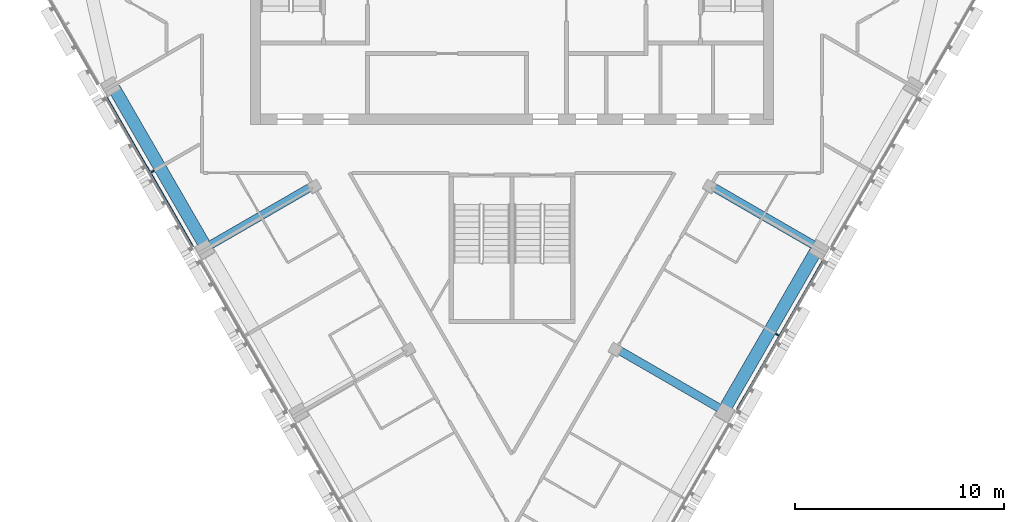
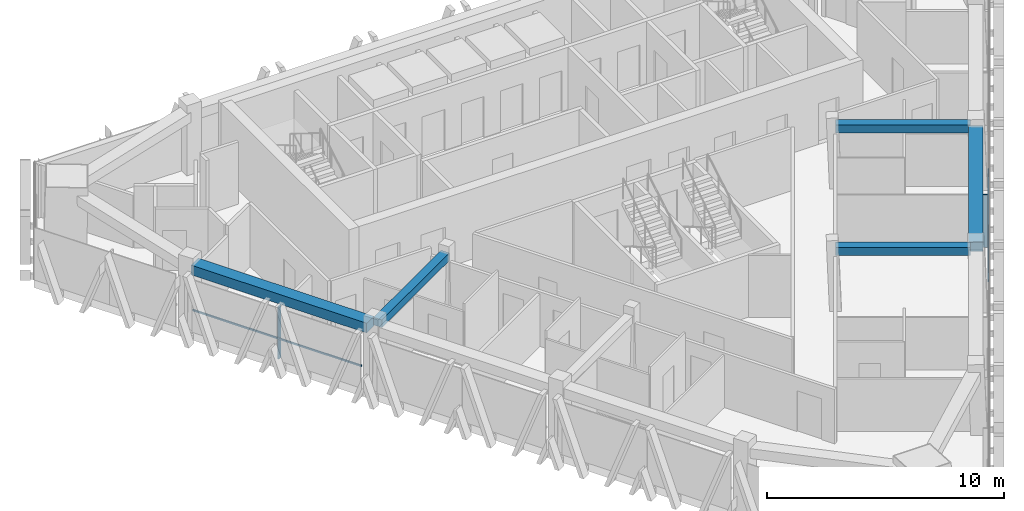
# One storey, part 3 of 14: 5 beams, 4 members, 2 elements without a shape of their own.
"""IFC4 building model written with IfcOpenShell, lengths in metres."""

from ifc_helpers import new_model, si_unit, direction, frame, origin, origin_2d, place, context, subcontext, project, spatial, rectangle, extrude, material, layer, layer_set, material_profile, profile_set, type_object, element, aggregate, save


model = new_model("IFC4")

# Units and contexts
model_context = context("Model", 3, precision=1e-05, world=origin(), true_north=direction((0.0, 1.0)))
body_context = subcontext(model_context, "Body", "Model", "MODEL_VIEW")
ifc_project = project(units=[si_unit("LENGTHUNIT", "METRE"), si_unit("AREAUNIT", "SQUARE_METRE"), si_unit("VOLUMEUNIT", "CUBIC_METRE"), si_unit("PLANEANGLEUNIT", "RADIAN"), si_unit("MASSUNIT", "GRAM", prefix="KILO")], contexts=[model_context])

# Site, building, storey
site_placement = place(None, origin())
site = spatial("IfcSite", under=ifc_project, at=site_placement, CompositionType="ELEMENT")
building_placement = place(site_placement, origin())
building = spatial("IfcBuilding", under=site, at=building_placement, Name="Altiplano Prism Tower", CompositionType="ELEMENT")
storey_placement = place(building_placement, frame((0.0, 0.0, 268.0)))
storey = spatial("IfcBuildingStorey", under=building, at=storey_placement, Name="L69", CompositionType="ELEMENT", Elevation=268.0)

# Curtain wall, member
ifc_material_1 = material(Name="Aluminium and glass", Category="aluminium")
ifc_layer = layer(ifc_material_1, 0.280029296875)
ifc_layer_set = layer_set([ifc_layer], Name="Aluminium and glass")
curtain_wall_type = type_object("IfcCurtainWallType", Name="CW1 typical co-living unitised curtain wall", PredefinedType="NOTDEFINED", material=ifc_layer_set)
curtain_wall_1_placement = place(storey_placement, origin())
curtain_wall_1 = element("IfcCurtainWall", 1, at=curtain_wall_1_placement, inside=storey, type_object=curtain_wall_type, Name="CW1 curtain wall south-west face L69", PredefinedType="NOTDEFINED")
ifc_material_2 = material(Name="Aluminium", Category="aluminium")
ifc_material_profile_1 = material_profile(ifc_material_2, rectangle(XDim=0.179931640625, YDim=0.06494140625, at=origin_2d()), Name="CW1 mullion 65 x 180")
ifc_profile_set_1 = profile_set([ifc_material_profile_1], Name="Aluminium")
member_type_1 = type_object("IfcMemberType", Name="CW1 mullion 65 x 180", PredefinedType="MULLION", material=ifc_profile_set_1)
member_1_placement = place(storey_placement, frame((67.832763671875, 90.6640625, 0.0), z_axis=(0.0, 0.0, 1.0), x_axis=(0.866025408191, 0.499999992367, 0.0)))
member_1 = element("IfcMember", 2, at=member_1_placement, type_object=member_type_1, Name="CW1 mullion", PredefinedType="MULLION", context=body_context, shape_type="SweptSolid", body=[
    extrude(rectangle(XDim=0.179931640625, YDim=0.06494140625, at=origin_2d()), origin(), (0.0, 0.0, 1.0), 2.699951171875),
])

curtain_wall_2_placement = place(storey_placement, origin())
curtain_wall_2 = element("IfcCurtainWall", 3, at=curtain_wall_2_placement, inside=storey, type_object=curtain_wall_type, Name="CW1 curtain wall south-east face L69", PredefinedType="NOTDEFINED")
member_2_placement = place(storey_placement, frame((97.667236328125, 82.869873046875, 0.0), z_axis=(0.0, 0.0, 1.0), x_axis=(-0.866025408191, 0.499999992367, 0.0)))
member_2 = element("IfcMember", 4, at=member_2_placement, type_object=member_type_1, Name="CW1 mullion", PredefinedType="MULLION", context=body_context, shape_type="SweptSolid", body=[
    extrude(rectangle(XDim=0.179931640625, YDim=0.06494140625, at=origin_2d()), origin(), (0.0, 0.0, 1.0), 2.699951171875),
])

# Member
ifc_material_profile_2 = material_profile(ifc_material_2, rectangle(XDim=0.06005859375, YDim=0.080078125, at=origin_2d()), Name="CW1 transom 80 x 60")
ifc_profile_set_2 = profile_set([ifc_material_profile_2], Name="Aluminium")
member_type_2 = type_object("IfcMemberType", Name="CW1 transom 80 x 60", PredefinedType="USERDEFINED", material=ifc_profile_set_2)
member_3_placement = place(storey_placement, frame((65.654296875, 94.19775390625, 1.10009765625), z_axis=(0.499991554064, -0.866030279993, 0.0), x_axis=(0.866030279993, 0.499991554064, 0.0)))
member_3 = element("IfcMember", 5, at=member_3_placement, type_object=member_type_2, Name="CW1 transom", ObjectType="TRANSOM", PredefinedType="USERDEFINED", context=body_context, shape_type="SweptSolid", body=[
    extrude(rectangle(XDim=0.06005859375, YDim=0.080078125, at=origin_2d()), origin(), (0.0, 0.0, 1.0), 8.219970703125),
])

aggregate(curtain_wall_1, [member_1, member_3])

member_4_placement = place(storey_placement, frame((95.73583984375, 79.284912109375, 1.10009765625), z_axis=(0.500004415232, 0.866022854634, 0.0), x_axis=(-0.866022854634, 0.500004415232, 0.0)))
member_4 = element("IfcMember", 6, at=member_4_placement, type_object=member_type_2, Name="CW1 transom", ObjectType="TRANSOM", PredefinedType="USERDEFINED", context=body_context, shape_type="SweptSolid", body=[
    extrude(rectangle(XDim=0.06005859375, YDim=0.080078125, at=origin_2d()), origin(), (0.0, 0.0, 1.0), 8.2197265625),
])

aggregate(curtain_wall_2, [member_2, member_4])

# Beams
ifc_material_3 = material(Name="Concrete C60/75", Category="concrete")
ifc_material_profile_3 = material_profile(ifc_material_3, rectangle(XDim=0.60009765625, YDim=0.5, at=origin_2d()), Name="Edge beam 600x500")
ifc_profile_set_3 = profile_set([ifc_material_profile_3], Name="Concrete C60/75")
beam_type_1 = type_object("IfcBeamType", Name="Edge beam 600x500", PredefinedType="SPANDREL", material=ifc_profile_set_3)
for number, where, z_axis, x_axis, name in (
    (7, (66.0029296875, 94.630615234375, 2.949951171875), (0.499994660107, -0.866028486751, 0.0), (0.866028486751, 0.499994660107, 0.0), "Edge beam P11-P12 L70"),
    (8, (95.22705078125, 79.4404296875, 2.949951171875), (0.499994660107, 0.866028486751, 0.0), (-0.866028486751, 0.499994660107, 0.0), "Edge beam P22-P23 L70"),
):
    element("IfcBeam", number, at=place(storey_placement, frame(where, z_axis=z_axis, x_axis=x_axis)), inside=storey, type_object=beam_type_1, Name=name, PredefinedType="SPANDREL", context=body_context, shape_type="SweptSolid", body=[
        extrude(rectangle(XDim=0.60009765625, YDim=0.5, at=origin_2d()), origin(), (0.0, 0.0, 1.0), 8.5400390625),
    ])
ifc_material_profile_4 = material_profile(ifc_material_3, rectangle(XDim=0.39990234375, YDim=0.39990234375, at=origin_2d()), Name="Tie beam 400x400")
ifc_profile_set_4 = profile_set([ifc_material_profile_4], Name="Concrete C60/75")
beam_type_2 = type_object("IfcBeamType", Name="Tie beam 400x400", PredefinedType="BEAM", material=ifc_profile_set_4)
for number, where, z_axis, x_axis, name in (
    (9, (75.514892578125, 89.99560546875, 3.0), (-0.866029822496, -0.499992346489, 0.0), (0.499992346489, -0.866029822496, 0.0), "Tie beam I12 L70"),
    (10, (89.985107421875, 82.201416015625, 3.0), (0.866029822496, -0.499992346489, 0.0), (0.499992346489, 0.866029822496, 0.0), "Tie beam I22 L70"),
    (11, (94.485107421875, 89.99560546875, 3.0), (0.866029822496, -0.499992346489, 0.0), (0.499992346489, 0.866029822496, 0.0), "Tie beam I23 L70"),
):
    element("IfcBeam", number, at=place(storey_placement, frame(where, z_axis=z_axis, x_axis=x_axis)), inside=storey, type_object=beam_type_2, Name=name, PredefinedType="BEAM", context=body_context, shape_type="SweptSolid", body=[
        extrude(rectangle(XDim=0.39990234375, YDim=0.39990234375, at=origin_2d()), origin(), (0.0, 0.0, 1.0), 5.68994140625),
    ])

save(model, "model.ifc")
